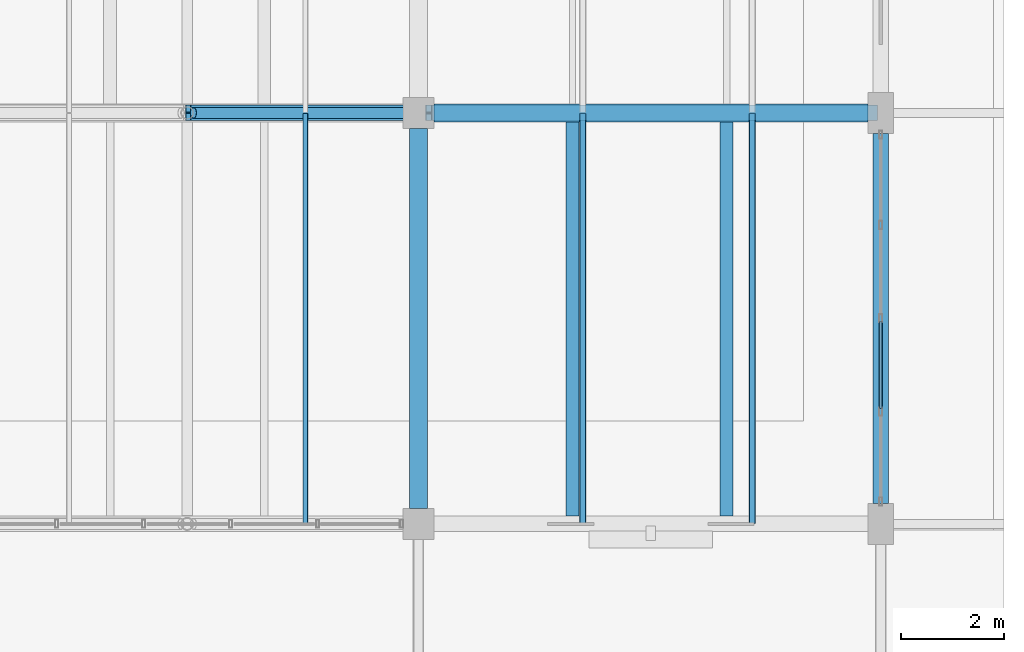
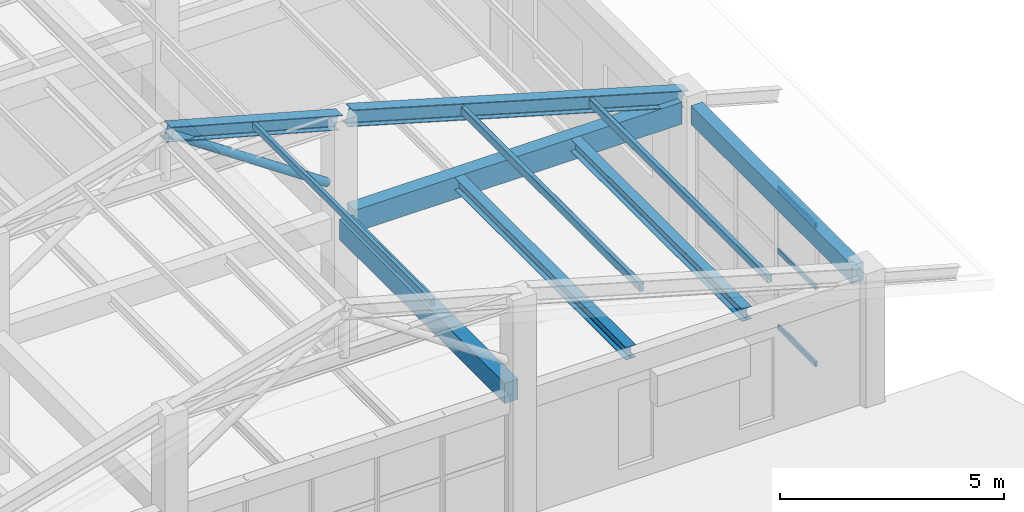
# One storey, part 30 of 58: 7 beams, 7 members, 1 element without a shape of its own.
"""IFC4 building model written with IfcOpenShell, lengths in metres."""

from ifc_helpers import new_model, si_unit, derived_unit, direction, frame, origin, origin_2d, place, context, subcontext, project, spatial, rectangle, hollow_rectangle, hollow_circle, i_section, extrude, material, material_profile, profile_set, type_object, element, aggregate, save


model = new_model("IFC4")

# Units and contexts
model_context = context("Model", 3, precision=1e-05, world=origin(), true_north=direction((0.0, 1.0)))
body_context = subcontext(model_context, "Body", "Model", "MODEL_VIEW")
ifc_project = project(units=[si_unit("LENGTHUNIT", "METRE"), si_unit("AREAUNIT", "SQUARE_METRE"), si_unit("VOLUMEUNIT", "CUBIC_METRE"), si_unit("PLANEANGLEUNIT", "RADIAN"), si_unit("MASSUNIT", "GRAM", prefix="KILO"), derived_unit("THERMALTRANSMITTANCEUNIT", [(si_unit("MASSUNIT", "GRAM", prefix="KILO"), 1), (si_unit("TIMEUNIT", "SECOND"), -3), (si_unit("THERMODYNAMICTEMPERATUREUNIT", "KELVIN"), -1)])], contexts=[model_context])

# Site, building, storey
site_placement = place(None, origin())
site = spatial("IfcSite", under=ifc_project, at=site_placement, CompositionType="ELEMENT")
building_placement = place(site_placement, origin())
building = spatial("IfcBuilding", under=site, at=building_placement, Name="Zhenchuan Archway Interchange", CompositionType="ELEMENT")
storey_placement = place(building_placement, frame((0.0, 0.0, 22.800048828125)))
storey = spatial("IfcBuildingStorey", under=building, at=storey_placement, Name="L05", CompositionType="ELEMENT", Elevation=22.800048828125)

# Beams
ifc_material_1 = material(Name="Concrete C40", Category="concrete")
ifc_material_profile_1 = material_profile(ifc_material_1, rectangle(XDim=0.35009765625, YDim=0.550048828125, at=origin_2d()), Name="RC 350x550")
ifc_profile_set_1 = profile_set([ifc_material_profile_1], Name="Concrete C40")
beam_type_1 = type_object("IfcBeamType", Name="BM_RC_350x550", PredefinedType="BEAM", material=ifc_profile_set_1)
beam_1_placement = place(storey_placement, frame((162.0, 24.300048828125, 3.64501953125), z_axis=(0.0, 1.0, 0.0), x_axis=(-1.0, 0.0, 0.0)))
element("IfcBeam", 1, at=beam_1_placement, inside=storey, type_object=beam_type_1, Name="Beam 19:D-E (L05)", PredefinedType="BEAM", context=body_context, shape_type="SweptSolid", body=[
    extrude(rectangle(XDim=0.35009765625, YDim=0.550048828125, at=origin_2d()), origin(), (0.0, 0.0, 1.0), 7.39990234375),
])
ifc_material_profile_2 = material_profile(ifc_material_1, rectangle(XDim=0.35009765625, YDim=0.60009765625, at=origin_2d()), Name="RC 350x600")
ifc_profile_set_2 = profile_set([ifc_material_profile_2], Name="Concrete C40")
beam_type_2 = type_object("IfcBeamType", Name="BM_RC_350x600", PredefinedType="BEAM", material=ifc_profile_set_2)
beam_2_placement = place(storey_placement, frame((162.300048828125, 32.0, 3.619873046875), z_axis=(1.0, 0.0, 0.0), x_axis=(0.0, 1.0, 0.0)))
element("IfcBeam", 2, at=beam_2_placement, inside=storey, type_object=beam_type_2, Name="Beam E:19-20 (L05)", PredefinedType="BEAM", context=body_context, shape_type="SweptSolid", body=[
    extrude(rectangle(XDim=0.35009765625, YDim=0.60009765625, at=origin_2d()), origin(), (0.0, 0.0, 1.0), 8.449951171875),
])
ifc_material_2 = material(Name="Steel Q355", Category="steel")
ifc_material_profile_3 = material_profile(ifc_material_2, i_section(OverallWidth=0.300048828125, OverallDepth=0.389892578125, WebThickness=0.010009765625, FlangeThickness=0.01611328125, FilletRadius=0.02001953125, at=origin_2d()), Name="HM 390x300")
ifc_profile_set_3 = profile_set([ifc_material_profile_3], Name="Steel Q355")
beam_type_3 = type_object("IfcBeamType", Name="BM_STL_HM390", PredefinedType="BEAM", material=ifc_profile_set_3)
beam_3_placement = place(storey_placement, frame((157.52001953125, 32.0, 7.639892578125), z_axis=(0.964108539649, 0.0, -0.265508425055), x_axis=(0.0, 1.0, 0.0)))
element("IfcBeam", 3, at=beam_3_placement, inside=storey, type_object=beam_type_3, Name="ROOF TRUSS command wing T2 east apex rafter", PredefinedType="BEAM", context=body_context, shape_type="SweptSolid", body=[
    extrude(i_section(OverallWidth=0.300048828125, OverallDepth=0.389892578125, WebThickness=0.010009765625, FlangeThickness=0.01611328125, FilletRadius=0.02001953125, at=origin_2d()), origin(), (0.0, 0.0, 1.0), 4.5947265625),
])
ifc_material_profile_4 = material_profile(ifc_material_2, i_section(OverallWidth=0.300048828125, OverallDepth=0.43994140625, WebThickness=0.010986328125, FlangeThickness=0.01806640625, FilletRadius=0.02197265625, at=origin_2d()), Name="HM 440x300")
ifc_profile_set_4 = profile_set([ifc_material_profile_4], Name="Steel Q355")
beam_type_4 = type_object("IfcBeamType", Name="BM_STL_HM440", PredefinedType="BEAM", material=ifc_profile_set_4)
beam_4_placement = place(storey_placement, frame((162.199951171875, 32.0, 6.449951171875), z_axis=(0.960641143949, 0.0, -0.277792355102), x_axis=(0.0, 1.0, 0.0)))
element("IfcBeam", 4, at=beam_4_placement, inside=storey, type_object=beam_type_4, Name="ROOF TRUSS command wing T2 east lower rafter", PredefinedType="BEAM", context=body_context, shape_type="SweptSolid", body=[
    extrude(i_section(OverallWidth=0.300048828125, OverallDepth=0.43994140625, WebThickness=0.010986328125, FlangeThickness=0.01806640625, FilletRadius=0.02197265625, at=origin_2d()), origin(), (0.0, 0.0, 1.0), 9.03564453125),
])

# Curtain wall, members
ifc_material_3 = material(Name="Anodised Aluminium", Category="aluminium")
curtain_wall_type = type_object("IfcCurtainWallType", Name="CW_UNIT_1", PredefinedType="NOTDEFINED", material=ifc_material_3)
curtain_wall_placement = place(storey_placement, origin())
curtain_wall = element("IfcCurtainWall", 5, at=curtain_wall_placement, inside=storey, type_object=curtain_wall_type, Name="Unitised curtain wall CW:L05:208", PredefinedType="NOTDEFINED")
ifc_material_profile_5 = material_profile(ifc_material_3, hollow_rectangle(XDim=0.06005859375, YDim=0.139892578125, WallThickness=0.00341796875, InnerFilletRadius=0.00341796875, OuterFilletRadius=0.007080078125, at=origin_2d()), Name="ALU 140x60x3.5")
ifc_profile_set_5 = profile_set([ifc_material_profile_5], Name="Anodised Aluminium")
member_type_1 = type_object("IfcMemberType", Name="CW_TRN_140", PredefinedType="USERDEFINED", material=ifc_profile_set_5)
member_1_placement = place(storey_placement, frame((171.0, 27.93994140625, 0.06005859375), z_axis=(0.0, -1.0, 0.0), x_axis=(1.0, 0.0, 0.0)))
member_1 = element("IfcMember", 6, at=member_1_placement, type_object=member_type_1, Name="CW:L05:208 transom 2-1", ObjectType="TRANSOM", PredefinedType="USERDEFINED", context=body_context, shape_type="SweptSolid", body=[
    extrude(hollow_rectangle(XDim=0.06005859375, YDim=0.139892578125, WallThickness=0.00341796875, InnerFilletRadius=0.00341796875, OuterFilletRadius=0.007080078125, at=origin_2d()), origin(), (0.0, 0.0, 1.0), 1.696044921875),
])
member_2_placement = place(storey_placement, frame((171.0, 27.93994140625, 2.14501953125), z_axis=(0.0, -1.0, 0.0), x_axis=(1.0, 0.0, 0.0)))
member_2 = element("IfcMember", 7, at=member_2_placement, type_object=member_type_1, Name="CW:L05:208 transom 2-2", ObjectType="TRANSOM", PredefinedType="USERDEFINED", context=body_context, shape_type="SweptSolid", body=[
    extrude(hollow_rectangle(XDim=0.06005859375, YDim=0.139892578125, WallThickness=0.00341796875, InnerFilletRadius=0.00341796875, OuterFilletRadius=0.007080078125, at=origin_2d()), origin(), (0.0, 0.0, 1.0), 1.696044921875),
])
member_3_placement = place(storey_placement, frame((171.0, 27.93994140625, 3.83984375), z_axis=(0.0, -1.0, 0.0), x_axis=(1.0, 0.0, 0.0)))
member_3 = element("IfcMember", 8, at=member_3_placement, type_object=member_type_1, Name="CW:L05:208 transom 2-3", ObjectType="TRANSOM", PredefinedType="USERDEFINED", context=body_context, shape_type="SweptSolid", body=[
    extrude(hollow_rectangle(XDim=0.06005859375, YDim=0.139892578125, WallThickness=0.00341796875, InnerFilletRadius=0.00341796875, OuterFilletRadius=0.007080078125, at=origin_2d()), origin(), (0.0, 0.0, 1.0), 1.696044921875),
])
aggregate(curtain_wall, [member_1, member_2, member_3])

# Beams
ifc_material_profile_6 = material_profile(ifc_material_2, i_section(OverallWidth=0.25, OverallDepth=0.340087890625, WebThickness=0.009033203125, FlangeThickness=0.013916015625, FilletRadius=0.01806640625, at=origin_2d()), Name="HM 340x250")
ifc_profile_set_6 = profile_set([ifc_material_profile_6], Name="Steel Q355")
beam_type_5 = type_object("IfcBeamType", Name="JST_STL_HM340", PredefinedType="JOIST", material=ifc_profile_set_6)
for number, where, z_axis, x_axis, name in (
    (9, (165.0, 24.14990234375, 3.75), (0.0, 1.0, 0.0), (-1.0, 0.0, 0.0), "Secondary joist 19-20/D-E #1 (L05)"),
    (10, (168.0, 24.14990234375, 3.75), (0.0, 1.0, 0.0), (-1.0, 0.0, 0.0), "Secondary joist 19-20/D-E #2 (L05)"),
):
    element("IfcBeam", number, at=place(storey_placement, frame(where, z_axis=z_axis, x_axis=x_axis)), inside=storey, type_object=beam_type_5, Name=name, PredefinedType="JOIST", context=body_context, shape_type="SweptSolid", body=[
        extrude(i_section(OverallWidth=0.25, OverallDepth=0.340087890625, WebThickness=0.009033203125, FlangeThickness=0.013916015625, FilletRadius=0.01806640625, at=origin_2d()), origin(), (0.0, 0.0, 1.0), 7.675048828125),
    ])

# Members
ifc_material_profile_7 = material_profile(ifc_material_2, hollow_circle(Radius=0.109619140625, WallThickness=0.008056640625, at=origin_2d()), Name="CHS 219x8")
ifc_profile_set_7 = profile_set([ifc_material_profile_7], Name="Steel Q355")
member_type_2 = type_object("IfcMemberType", Name="MB_CHS219", PredefinedType="BRACE", material=ifc_profile_set_7)
member_4_placement = place(storey_placement, frame((161.679931640625, 32.0, 4.800048828125), z_axis=(-0.827937334182, 0.0, 0.560820622541), x_axis=(0.0, -1.0, 0.0)))
element("IfcMember", 11, at=member_4_placement, inside=storey, type_object=member_type_2, Name="ROOF TRUSS command wing T2 east apex diagonal", PredefinedType="BRACE", context=body_context, shape_type="SweptSolid", body=[
    extrude(hollow_circle(Radius=0.109619140625, WallThickness=0.008056640625, at=origin_2d()), origin(), (0.0, 0.0, 1.0), 4.903564453125),
])
ifc_material_profile_8 = material_profile(ifc_material_2, hollow_rectangle(XDim=0.10009765625, YDim=0.179931640625, WallThickness=0.006103515625, InnerFilletRadius=0.006103515625, OuterFilletRadius=0.011962890625, at=origin_2d()), Name="RHS 180x100x6")
ifc_profile_set_8 = profile_set([ifc_material_profile_8], Name="Steel Q355")
member_type_3 = type_object("IfcMemberType", Name="MB_RHS180", PredefinedType="PURLIN", material=ifc_profile_set_8)
member_5_placement = place(storey_placement, frame((159.800048828125, 24.008056640625, 7.02001953125), z_axis=(0.0, 1.0, 0.0), x_axis=(-1.0, 0.0, 0.0)))
element("IfcMember", 12, at=member_5_placement, inside=storey, type_object=member_type_3, Name="Command wing roof purlin B1-P4", PredefinedType="PURLIN", context=body_context, shape_type="SweptSolid", body=[
    extrude(hollow_rectangle(XDim=0.10009765625, YDim=0.179931640625, WallThickness=0.006103515625, InnerFilletRadius=0.006103515625, OuterFilletRadius=0.011962890625, at=origin_2d()), origin(), (0.0, 0.0, 1.0), 7.98388671875),
])
ifc_material_profile_9 = material_profile(ifc_material_2, hollow_rectangle(XDim=0.1201171875, YDim=0.199951171875, WallThickness=0.008056640625, InnerFilletRadius=0.008056640625, OuterFilletRadius=0.01611328125, at=origin_2d()), Name="RHS 200x120x8")
ifc_profile_set_9 = profile_set([ifc_material_profile_9], Name="Steel Q355")
member_type_4 = type_object("IfcMemberType", Name="MB_RHS200", PredefinedType="PURLIN", material=ifc_profile_set_9)
member_6_placement = place(storey_placement, frame((168.5, 24.008056640625, 4.619873046875), z_axis=(0.0, 1.0, 0.0), x_axis=(-1.0, 0.0, 0.0)))
element("IfcMember", 13, at=member_6_placement, inside=storey, type_object=member_type_4, Name="Command wing roof purlin B1-P6", PredefinedType="PURLIN", context=body_context, shape_type="SweptSolid", body=[
    extrude(hollow_rectangle(XDim=0.1201171875, YDim=0.199951171875, WallThickness=0.008056640625, InnerFilletRadius=0.008056640625, OuterFilletRadius=0.01611328125, at=origin_2d()), origin(), (0.0, 0.0, 1.0), 7.98388671875),
])
ifc_material_profile_10 = material_profile(ifc_material_2, hollow_rectangle(XDim=0.1201171875, YDim=0.219970703125, WallThickness=0.008056640625, InnerFilletRadius=0.008056640625, OuterFilletRadius=0.01611328125, at=origin_2d()), Name="RHS 220x120x8")
ifc_profile_set_10 = profile_set([ifc_material_profile_10], Name="Steel Q355")
member_type_5 = type_object("IfcMemberType", Name="MB_RHS220", PredefinedType="PURLIN", material=ifc_profile_set_10)
member_7_placement = place(storey_placement, frame((165.199951171875, 24.008056640625, 5.5400390625), z_axis=(0.0, 1.0, 0.0), x_axis=(-1.0, 0.0, 0.0)))
element("IfcMember", 14, at=member_7_placement, inside=storey, type_object=member_type_5, Name="Command wing roof purlin B1-P5", PredefinedType="PURLIN", context=body_context, shape_type="SweptSolid", body=[
    extrude(hollow_rectangle(XDim=0.1201171875, YDim=0.219970703125, WallThickness=0.008056640625, InnerFilletRadius=0.008056640625, OuterFilletRadius=0.01611328125, at=origin_2d()), origin(), (0.0, 0.0, 1.0), 7.98388671875),
])

# Beam
ifc_material_profile_11 = material_profile(ifc_material_1, rectangle(XDim=0.300048828125, YDim=0.5, at=origin_2d()), Name="RC 300x500")
ifc_profile_set_11 = profile_set([ifc_material_profile_11], Name="Concrete C40")
beam_type_6 = type_object("IfcBeamType", Name="SP_RC_300x500", PredefinedType="SPANDREL", material=ifc_profile_set_11)
beam_5_placement = place(storey_placement, frame((171.0, 24.39990234375, 3.669921875), z_axis=(0.0, 1.0, 0.0), x_axis=(-1.0, 0.0, 0.0)))
element("IfcBeam", 15, at=beam_5_placement, inside=storey, type_object=beam_type_6, Name="Beam 20:D-E (L05)", PredefinedType="SPANDREL", context=body_context, shape_type="SweptSolid", body=[
    extrude(rectangle(XDim=0.300048828125, YDim=0.5, at=origin_2d()), origin(), (0.0, 0.0, 1.0), 7.2001953125),
])

save(model, "model.ifc")
